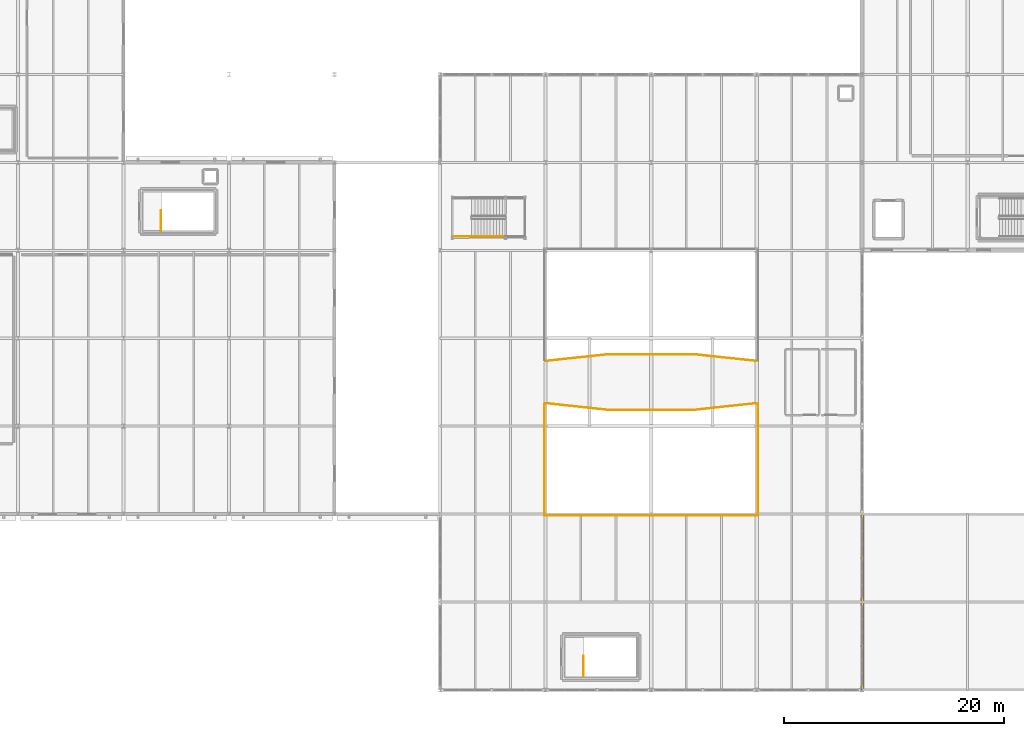
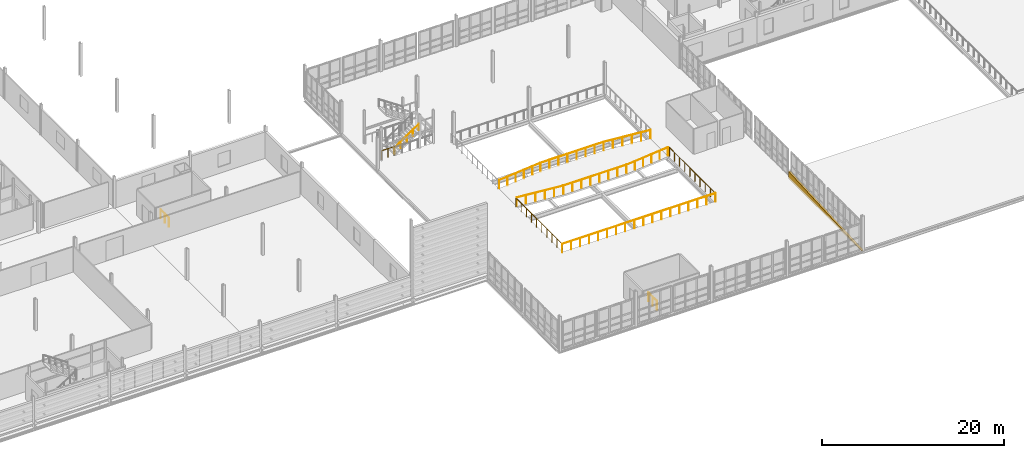
# One storey, part 68 of 73: 9 railings, 1 covering.
"""IFC4 building model written with IfcOpenShell, lengths in metres."""

from ifc_helpers import new_model, si_unit, direction, frame, origin, origin_2d, place, context, subcontext, project, spatial, polyline, circle, outline, extrude, material, layer, layer_set, type_object, element, save


model = new_model("IFC4")

# Units and contexts
model_context = context("Model", 3, precision=1e-05, world=origin(), true_north=direction((0.0, 1.0)))
body_context = subcontext(model_context, "Body", "Model", "MODEL_VIEW")
ifc_project = project(units=[si_unit("LENGTHUNIT", "METRE"), si_unit("AREAUNIT", "SQUARE_METRE"), si_unit("VOLUMEUNIT", "CUBIC_METRE"), si_unit("PLANEANGLEUNIT", "RADIAN"), si_unit("MASSUNIT", "GRAM", prefix="KILO")], contexts=[model_context])

# Site, building, storey
site_placement = place(None, origin())
site = spatial("IfcSite", under=ifc_project, at=site_placement, CompositionType="ELEMENT")
building_placement = place(site_placement, origin())
building = spatial("IfcBuilding", under=site, at=building_placement, Name="Alderhovde Museum", CompositionType="ELEMENT")
storey_placement = place(building_placement, frame((0.0, 0.0, 12.89990234375)))
storey = spatial("IfcBuildingStorey", under=building, at=storey_placement, Name="L03", CompositionType="ELEMENT", Elevation=12.89990234375)

# Covering
ifc_material_1 = material(Name="Carved Jura Limestone Gable Tympanum Cladding", Category="masonry")
ifc_layer = layer(ifc_material_1, 0.239990234375)
ifc_layer_set = layer_set([ifc_layer], Name="Carved Jura Limestone Gable Tympanum Cladding")
covering_type = type_object("IfcCoveringType", Name="COV-TYMP-STONE", PredefinedType="CLADDING", material=ifc_layer_set)
covering_placement = place(storey_placement, frame((115.199951171875, 32.0, -0.260009765625), z_axis=(0.0, 0.0, 1.0), x_axis=(0.0, 1.0, 0.0)))
element("IfcCovering", 1, at=covering_placement, inside=storey, type_object=covering_type, Name="Conservation South Wing Step Cheek 12", PredefinedType="CLADDING", context=body_context, shape_type="SweptSolid", body=[
    extrude(outline(polyline([(0.0, 0.0), (16.0, 0.0), (16.0, 0.980224609375), (0.0, 0.080078125), (0.0, 0.0)])), frame((0.0, 0.1201171875, 0.0), z_axis=(0.0, -1.0, 0.0), x_axis=(1.0, 0.0, 0.0)), (0.0, 0.0, 1.0), 0.239990234375),
])

# Railings
ifc_material_2 = material(Name="Painted Steel S355 Guardrail", Category="steel")
railing_type_1 = type_object("IfcRailingType", Name="RL-GUARD-1200", PredefinedType="GUARDRAIL", material=ifc_material_2)
railing_1_placement = place(storey_placement, frame((89.830078125, 33.199951171875, 0.0)))
element("IfcRailing", 2, at=railing_1_placement, inside=storey, type_object=railing_type_1, Name="L03 ST3 top well guard 1", PredefinedType="GUARDRAIL", context=body_context, shape_type="SweptSolid", body=[
    extrude(circle(Radius=0.02392578125, at=origin_2d()), frame((0.0, 0.0, 1.17578125), z_axis=(0.0, 1.0, 0.0), x_axis=(-1.0, 0.0, 0.0)), (0.0, 0.0, 1.0), 1.880126953125),
    extrude(circle(Radius=0.02099609375, at=origin_2d()), origin(), (0.0, 0.0, 1.0), 1.15185546875),
    extrude(circle(Radius=0.02099609375, at=origin_2d()), frame((0.0, 0.93994140625, 0.0)), (0.0, 0.0, 1.0), 1.15185546875),
    extrude(circle(Radius=0.02099609375, at=origin_2d()), frame((0.0, 1.880126953125, 0.0)), (0.0, 0.0, 1.0), 1.15185546875),
])
railing_2_placement = place(storey_placement, frame((78.0, 73.25, 0.0)))
element("IfcRailing", 3, at=railing_2_placement, inside=storey, type_object=railing_type_1, Name="L03 ST5 stair guard 7", PredefinedType="GUARDRAIL", context=body_context, shape_type="SweptSolid", body=[
    extrude(circle(Radius=0.02392578125, at=origin_2d()), frame((0.0, 0.0, 1.17578125), z_axis=(1.0, 0.0, 0.0), x_axis=(0.0, 1.0, 0.0)), (0.0, 0.0, 1.0), 1.679931640625),
    extrude(circle(Radius=0.02099609375, at=origin_2d()), origin(), (0.0, 0.0, 1.0), 1.15185546875),
    extrude(circle(Radius=0.02099609375, at=origin_2d()), frame((0.83984375, 0.0, 0.0)), (0.0, 0.0, 1.0), 1.15185546875),
    extrude(circle(Radius=0.02099609375, at=origin_2d()), frame((1.679931640625, 0.0, 0.0)), (0.0, 0.0, 1.0), 1.15185546875),
])
railing_3_placement = place(storey_placement, frame((51.389892578125, 73.800048828125, 0.0)))
element("IfcRailing", 4, at=railing_3_placement, inside=storey, type_object=railing_type_1, Name="L03 ST6 top well guard 1", PredefinedType="GUARDRAIL", context=body_context, shape_type="SweptSolid", body=[
    extrude(circle(Radius=0.02392578125, at=origin_2d()), frame((0.0, 0.0, 1.17578125), z_axis=(0.0, 1.0, 0.0), x_axis=(-1.0, 0.0, 0.0)), (0.0, 0.0, 1.0), 1.83984375),
    extrude(circle(Radius=0.02099609375, at=origin_2d()), origin(), (0.0, 0.0, 1.0), 1.15185546875),
    extrude(circle(Radius=0.02099609375, at=origin_2d()), frame((0.0, 0.919921875, 0.0)), (0.0, 0.0, 1.0), 1.15185546875),
    extrude(circle(Radius=0.02099609375, at=origin_2d()), frame((0.0, 1.83984375, 0.0)), (0.0, 0.0, 1.0), 1.15185546875),
])
railing_4_placement = place(storey_placement, frame((86.280029296875, 47.8798828125, 0.0)))
element("IfcRailing", 5, at=railing_4_placement, inside=storey, type_object=railing_type_1, Name="L03 Conservatory Void South Guardrail", PredefinedType="GUARDRAIL", context=body_context, shape_type="SweptSolid", body=[
    extrude(circle(Radius=0.02392578125, at=origin_2d()), frame((0.0, 0.0, 1.17578125), z_axis=(1.0, 0.0, 0.0), x_axis=(0.0, 1.0, 0.0)), (0.0, 0.0, 1.0), 19.43994140625),
    extrude(circle(Radius=0.02099609375, at=origin_2d()), origin(), (0.0, 0.0, 1.0), 1.15185546875),
    extrude(circle(Radius=0.02099609375, at=origin_2d()), frame((1.1435546875, 0.0, 0.0)), (0.0, 0.0, 1.0), 1.15185546875),
    extrude(circle(Radius=0.02099609375, at=origin_2d()), frame((2.287109375, 0.0, 0.0)), (0.0, 0.0, 1.0), 1.15185546875),
    extrude(circle(Radius=0.02099609375, at=origin_2d()), frame((3.4306640625, 0.0, 0.0)), (0.0, 0.0, 1.0), 1.15185546875),
    extrude(circle(Radius=0.02099609375, at=origin_2d()), frame((4.57421875, 0.0, 0.0)), (0.0, 0.0, 1.0), 1.15185546875),
    extrude(circle(Radius=0.02099609375, at=origin_2d()), frame((5.717529296875, 0.0, 0.0)), (0.0, 0.0, 1.0), 1.15185546875),
    extrude(circle(Radius=0.02099609375, at=origin_2d()), frame((6.861083984375, 0.0, 0.0)), (0.0, 0.0, 1.0), 1.15185546875),
    extrude(circle(Radius=0.02099609375, at=origin_2d()), frame((8.004638671875, 0.0, 0.0)), (0.0, 0.0, 1.0), 1.15185546875),
    extrude(circle(Radius=0.02099609375, at=origin_2d()), frame((9.148193359375, 0.0, 0.0)), (0.0, 0.0, 1.0), 1.15185546875),
    extrude(circle(Radius=0.02099609375, at=origin_2d()), frame((10.291748046875, 0.0, 0.0)), (0.0, 0.0, 1.0), 1.15185546875),
    extrude(circle(Radius=0.02099609375, at=origin_2d()), frame((11.435302734375, 0.0, 0.0)), (0.0, 0.0, 1.0), 1.15185546875),
    extrude(circle(Radius=0.02099609375, at=origin_2d()), frame((12.578857421875, 0.0, 0.0)), (0.0, 0.0, 1.0), 1.15185546875),
    extrude(circle(Radius=0.02099609375, at=origin_2d()), frame((13.722412109375, 0.0, 0.0)), (0.0, 0.0, 1.0), 1.15185546875),
    extrude(circle(Radius=0.02099609375, at=origin_2d()), frame((14.86572265625, 0.0, 0.0)), (0.0, 0.0, 1.0), 1.15185546875),
    extrude(circle(Radius=0.02099609375, at=origin_2d()), frame((16.00927734375, 0.0, 0.0)), (0.0, 0.0, 1.0), 1.15185546875),
    extrude(circle(Radius=0.02099609375, at=origin_2d()), frame((17.15283203125, 0.0, 0.0)), (0.0, 0.0, 1.0), 1.15185546875),
    extrude(circle(Radius=0.02099609375, at=origin_2d()), frame((18.29638671875, 0.0, 0.0)), (0.0, 0.0, 1.0), 1.15185546875),
    extrude(circle(Radius=0.02099609375, at=origin_2d()), frame((19.43994140625, 0.0, 0.0)), (0.0, 0.0, 1.0), 1.15185546875),
])
for number, where, name in (
    (6, (86.280029296875, 47.8798828125, 0.0), "L03 Conservatory Void West Guardrail S"),
    (7, (105.719970703125, 47.8798828125, 0.0), "L03 Conservatory Void East Guardrail S"),
):
    element("IfcRailing", number, at=place(storey_placement, frame(where)), inside=storey, type_object=railing_type_1, Name=name, PredefinedType="GUARDRAIL", context=body_context, shape_type="SweptSolid", body=[
        extrude(circle(Radius=0.02392578125, at=origin_2d()), frame((0.0, 0.0, 1.17578125), z_axis=(0.0, 1.0, 0.0), x_axis=(-1.0, 0.0, 0.0)), (0.0, 0.0, 1.0), 10.1201171875),
        extrude(circle(Radius=0.02099609375, at=origin_2d()), origin(), (0.0, 0.0, 1.0), 1.15185546875),
        extrude(circle(Radius=0.02099609375, at=origin_2d()), frame((0.0, 1.12451171875, 0.0)), (0.0, 0.0, 1.0), 1.15185546875),
        extrude(circle(Radius=0.02099609375, at=origin_2d()), frame((0.0, 2.2490234375, 0.0)), (0.0, 0.0, 1.0), 1.15185546875),
        extrude(circle(Radius=0.02099609375, at=origin_2d()), frame((0.0, 3.373291015625, 0.0)), (0.0, 0.0, 1.0), 1.15185546875),
        extrude(circle(Radius=0.02099609375, at=origin_2d()), frame((0.0, 4.497802734375, 0.0)), (0.0, 0.0, 1.0), 1.15185546875),
        extrude(circle(Radius=0.02099609375, at=origin_2d()), frame((0.0, 5.622314453125, 0.0)), (0.0, 0.0, 1.0), 1.15185546875),
        extrude(circle(Radius=0.02099609375, at=origin_2d()), frame((0.0, 6.746826171875, 0.0)), (0.0, 0.0, 1.0), 1.15185546875),
        extrude(circle(Radius=0.02099609375, at=origin_2d()), frame((0.0, 7.87109375, 0.0)), (0.0, 0.0, 1.0), 1.15185546875),
        extrude(circle(Radius=0.02099609375, at=origin_2d()), frame((0.0, 8.99560546875, 0.0)), (0.0, 0.0, 1.0), 1.15185546875),
        extrude(circle(Radius=0.02099609375, at=origin_2d()), frame((0.0, 10.1201171875, 0.0)), (0.0, 0.0, 1.0), 1.15185546875),
    ])
railing_5_placement = place(storey_placement, frame((86.39990234375, 58.080078125, 0.0)))
element("IfcRailing", 8, at=railing_5_placement, inside=storey, type_object=railing_type_1, Name="L03 Conservatory Bridge South Guardrail", PredefinedType="GUARDRAIL", context=body_context, shape_type="SweptSolid", body=[
    extrude(circle(Radius=0.02392578125, at=origin_2d()), frame((0.0, 0.0, 1.17578125), z_axis=(0.994307513918, -0.10654842921, 0.0), x_axis=(0.10654842921, 0.994307513918, 0.0)), (0.0, 0.0, 1.0), 5.632080078125),
    extrude(circle(Radius=0.02392578125, at=origin_2d()), frame((5.60009765625, -0.60009765625, 1.17578125), z_axis=(1.0, 0.0, 0.0), x_axis=(0.0, 1.0, 0.0)), (0.0, 0.0, 1.0), 8.0),
    extrude(circle(Radius=0.02392578125, at=origin_2d()), frame((13.60009765625, -0.60009765625, 1.17578125), z_axis=(0.994307513918, 0.10654842921, 0.0), x_axis=(-0.10654842921, 0.994307513918, 0.0)), (0.0, 0.0, 1.0), 5.632080078125),
    extrude(circle(Radius=0.02099609375, at=origin_2d()), origin(), (0.0, 0.0, 1.0), 1.15185546875),
    extrude(circle(Radius=0.02099609375, at=origin_2d()), frame((1.1201171875, -0.1201171875, 0.0)), (0.0, 0.0, 1.0), 1.15185546875),
    extrude(circle(Radius=0.02099609375, at=origin_2d()), frame((2.239990234375, -0.239990234375, 0.0)), (0.0, 0.0, 1.0), 1.15185546875),
    extrude(circle(Radius=0.02099609375, at=origin_2d()), frame((3.360107421875, -0.360107421875, 0.0)), (0.0, 0.0, 1.0), 1.15185546875),
    extrude(circle(Radius=0.02099609375, at=origin_2d()), frame((4.47998046875, -0.47998046875, 0.0)), (0.0, 0.0, 1.0), 1.15185546875),
    extrude(circle(Radius=0.02099609375, at=origin_2d()), frame((5.60009765625, -0.60009765625, 0.0)), (0.0, 0.0, 1.0), 1.15185546875),
    extrude(circle(Radius=0.02099609375, at=origin_2d()), frame((6.742919921875, -0.60009765625, 0.0)), (0.0, 0.0, 1.0), 1.15185546875),
    extrude(circle(Radius=0.02099609375, at=origin_2d()), frame((7.8857421875, -0.60009765625, 0.0)), (0.0, 0.0, 1.0), 1.15185546875),
    extrude(circle(Radius=0.02099609375, at=origin_2d()), frame((9.028564453125, -0.60009765625, 0.0)), (0.0, 0.0, 1.0), 1.15185546875),
    extrude(circle(Radius=0.02099609375, at=origin_2d()), frame((10.171630859375, -0.60009765625, 0.0)), (0.0, 0.0, 1.0), 1.15185546875),
    extrude(circle(Radius=0.02099609375, at=origin_2d()), frame((11.314453125, -0.60009765625, 0.0)), (0.0, 0.0, 1.0), 1.15185546875),
    extrude(circle(Radius=0.02099609375, at=origin_2d()), frame((12.457275390625, -0.60009765625, 0.0)), (0.0, 0.0, 1.0), 1.15185546875),
    extrude(circle(Radius=0.02099609375, at=origin_2d()), frame((13.60009765625, -0.60009765625, 0.0)), (0.0, 0.0, 1.0), 1.15185546875),
    extrude(circle(Radius=0.02099609375, at=origin_2d()), frame((14.72021484375, -0.47998046875, 0.0)), (0.0, 0.0, 1.0), 1.15185546875),
    extrude(circle(Radius=0.02099609375, at=origin_2d()), frame((15.840087890625, -0.360107421875, 0.0)), (0.0, 0.0, 1.0), 1.15185546875),
    extrude(circle(Radius=0.02099609375, at=origin_2d()), frame((16.960205078125, -0.239990234375, 0.0)), (0.0, 0.0, 1.0), 1.15185546875),
    extrude(circle(Radius=0.02099609375, at=origin_2d()), frame((18.080078125, -0.1201171875, 0.0)), (0.0, 0.0, 1.0), 1.15185546875),
    extrude(circle(Radius=0.02099609375, at=origin_2d()), frame((19.2001953125, 0.0, 0.0)), (0.0, 0.0, 1.0), 1.15185546875),
])
railing_6_placement = place(storey_placement, frame((86.39990234375, 61.919921875, 0.0)))
element("IfcRailing", 9, at=railing_6_placement, inside=storey, type_object=railing_type_1, Name="L03 Conservatory Bridge North Guardrail", PredefinedType="GUARDRAIL", context=body_context, shape_type="SweptSolid", body=[
    extrude(circle(Radius=0.02392578125, at=origin_2d()), frame((0.0, 0.0, 1.17578125), z_axis=(0.994307513918, 0.10654842921, 0.0), x_axis=(-0.10654842921, 0.994307513918, 0.0)), (0.0, 0.0, 1.0), 5.632080078125),
    extrude(circle(Radius=0.02392578125, at=origin_2d()), frame((5.60009765625, 0.60009765625, 1.17578125), z_axis=(1.0, 0.0, 0.0), x_axis=(0.0, 1.0, 0.0)), (0.0, 0.0, 1.0), 8.0),
    extrude(circle(Radius=0.02392578125, at=origin_2d()), frame((13.60009765625, 0.60009765625, 1.17578125), z_axis=(0.994307513918, -0.10654842921, 0.0), x_axis=(0.10654842921, 0.994307513918, 0.0)), (0.0, 0.0, 1.0), 5.632080078125),
    extrude(circle(Radius=0.02099609375, at=origin_2d()), origin(), (0.0, 0.0, 1.0), 1.15185546875),
    extrude(circle(Radius=0.02099609375, at=origin_2d()), frame((1.1201171875, 0.1201171875, 0.0)), (0.0, 0.0, 1.0), 1.15185546875),
    extrude(circle(Radius=0.02099609375, at=origin_2d()), frame((2.239990234375, 0.239990234375, 0.0)), (0.0, 0.0, 1.0), 1.15185546875),
    extrude(circle(Radius=0.02099609375, at=origin_2d()), frame((3.360107421875, 0.360107421875, 0.0)), (0.0, 0.0, 1.0), 1.15185546875),
    extrude(circle(Radius=0.02099609375, at=origin_2d()), frame((4.47998046875, 0.47998046875, 0.0)), (0.0, 0.0, 1.0), 1.15185546875),
    extrude(circle(Radius=0.02099609375, at=origin_2d()), frame((5.60009765625, 0.60009765625, 0.0)), (0.0, 0.0, 1.0), 1.15185546875),
    extrude(circle(Radius=0.02099609375, at=origin_2d()), frame((6.742919921875, 0.60009765625, 0.0)), (0.0, 0.0, 1.0), 1.15185546875),
    extrude(circle(Radius=0.02099609375, at=origin_2d()), frame((7.8857421875, 0.60009765625, 0.0)), (0.0, 0.0, 1.0), 1.15185546875),
    extrude(circle(Radius=0.02099609375, at=origin_2d()), frame((9.028564453125, 0.60009765625, 0.0)), (0.0, 0.0, 1.0), 1.15185546875),
    extrude(circle(Radius=0.02099609375, at=origin_2d()), frame((10.171630859375, 0.60009765625, 0.0)), (0.0, 0.0, 1.0), 1.15185546875),
    extrude(circle(Radius=0.02099609375, at=origin_2d()), frame((11.314453125, 0.60009765625, 0.0)), (0.0, 0.0, 1.0), 1.15185546875),
    extrude(circle(Radius=0.02099609375, at=origin_2d()), frame((12.457275390625, 0.60009765625, 0.0)), (0.0, 0.0, 1.0), 1.15185546875),
    extrude(circle(Radius=0.02099609375, at=origin_2d()), frame((13.60009765625, 0.60009765625, 0.0)), (0.0, 0.0, 1.0), 1.15185546875),
    extrude(circle(Radius=0.02099609375, at=origin_2d()), frame((14.72021484375, 0.47998046875, 0.0)), (0.0, 0.0, 1.0), 1.15185546875),
    extrude(circle(Radius=0.02099609375, at=origin_2d()), frame((15.840087890625, 0.360107421875, 0.0)), (0.0, 0.0, 1.0), 1.15185546875),
    extrude(circle(Radius=0.02099609375, at=origin_2d()), frame((16.960205078125, 0.239990234375, 0.0)), (0.0, 0.0, 1.0), 1.15185546875),
    extrude(circle(Radius=0.02099609375, at=origin_2d()), frame((18.080078125, 0.1201171875, 0.0)), (0.0, 0.0, 1.0), 1.15185546875),
    extrude(circle(Radius=0.02099609375, at=origin_2d()), frame((19.2001953125, 0.0, 0.0)), (0.0, 0.0, 1.0), 1.15185546875),
])
ifc_material_3 = material(Name="Brushed Stainless Steel Handrail", Category="steel")
railing_type_2 = type_object("IfcRailingType", Name="RL-HANDRAIL-900", PredefinedType="HANDRAIL", material=ifc_material_3)
railing_7_placement = place(storey_placement, frame((79.679931640625, 73.25, 0.1875)))
element("IfcRailing", 10, at=railing_7_placement, inside=storey, type_object=railing_type_2, Name="L03 ST5 stair handrail 1", PredefinedType="HANDRAIL", context=body_context, shape_type="SweptSolid", body=[
    extrude(circle(Radius=0.02392578125, at=origin_2d()), frame((0.0, 0.0, 0.8759765625), z_axis=(0.830913701846, 0.0, 0.55640131208), x_axis=(0.0, 1.0, 0.0)), (0.0, 0.0, 1.0), 3.706787109375),
    extrude(circle(Radius=0.02099609375, at=origin_2d()), origin(), (0.0, 0.0, 1.0), 0.851806640625),
    extrude(circle(Radius=0.02099609375, at=origin_2d()), frame((0.77001953125, 0.0, 0.515625)), (0.0, 0.0, 1.0), 0.851806640625),
    extrude(circle(Radius=0.02099609375, at=origin_2d()), frame((1.5400390625, 0.0, 1.03125)), (0.0, 0.0, 1.0), 0.851806640625),
    extrude(circle(Radius=0.02099609375, at=origin_2d()), frame((2.31005859375, 0.0, 1.546875)), (0.0, 0.0, 1.0), 0.851806640625),
    extrude(circle(Radius=0.02099609375, at=origin_2d()), frame((3.080078125, 0.0, 2.0625)), (0.0, 0.0, 1.0), 0.851806640625),
])

save(model, "model.ifc")
